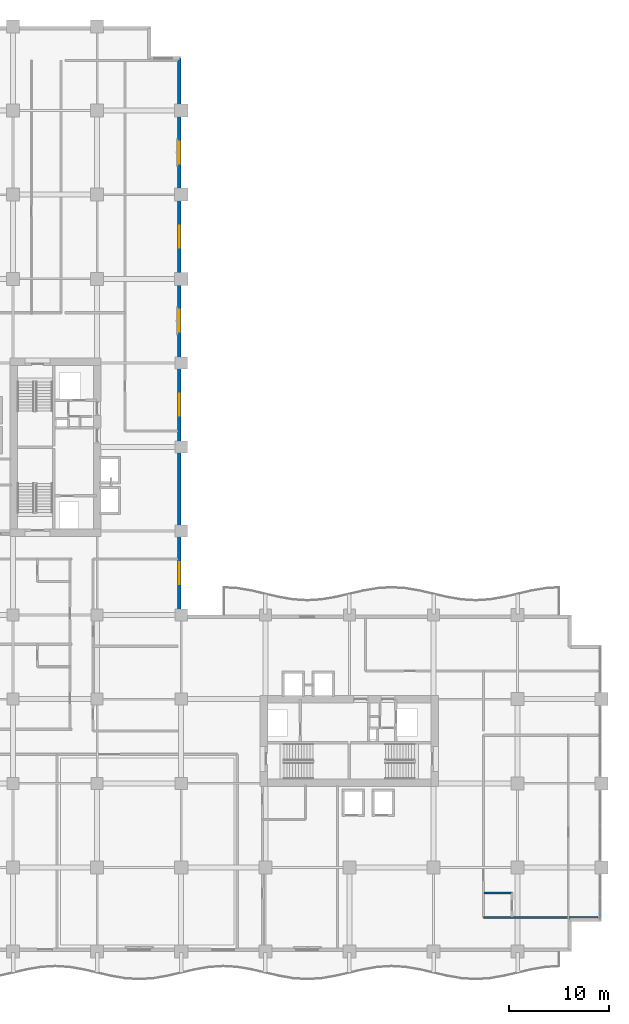
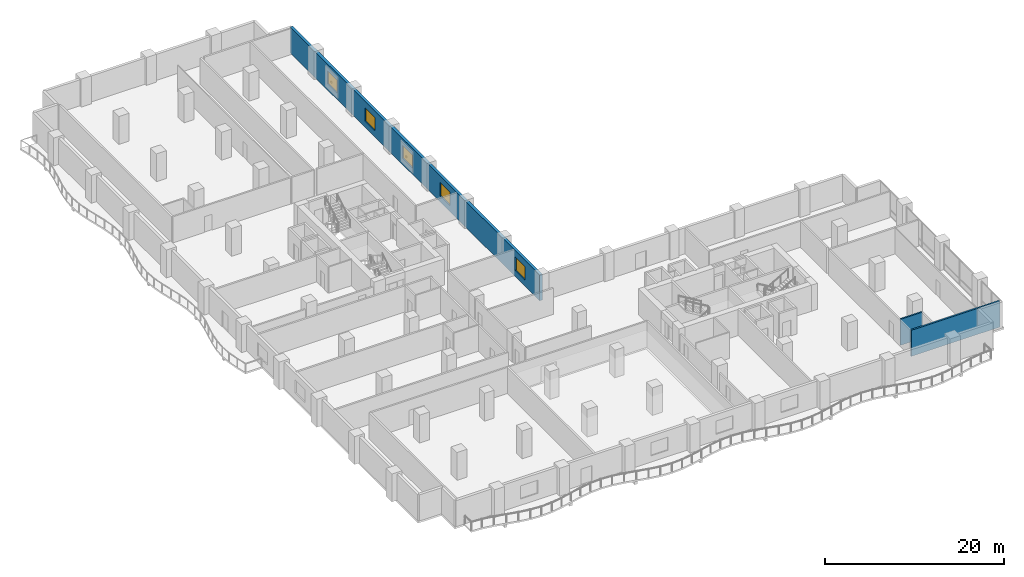
# One storey, part 14 of 23: 5 windows, 3 walls, 5 openings.
"""IFC4 building model written with IfcOpenShell, lengths in metres."""

from ifc_helpers import new_model, si_unit, direction, frame, frame_2d, origin, place, context, subcontext, project, spatial, rectangle, extrude, material, layer, layer_set, type_object, element, fill, save


model = new_model("IFC4")

# Units and contexts
model_context = context("Model", 3, precision=1e-05, world=origin(), true_north=direction((0.0, 1.0)))
body_context = subcontext(model_context, "Body", "Model", "MODEL_VIEW")
ifc_project = project(units=[si_unit("LENGTHUNIT", "METRE"), si_unit("AREAUNIT", "SQUARE_METRE"), si_unit("VOLUMEUNIT", "CUBIC_METRE"), si_unit("PLANEANGLEUNIT", "RADIAN"), si_unit("MASSUNIT", "GRAM", prefix="KILO")], contexts=[model_context])

# Site, building, storey
site_placement = place(None, origin())
site = spatial("IfcSite", under=ifc_project, at=site_placement, CompositionType="ELEMENT")
building_placement = place(site_placement, origin())
building = spatial("IfcBuilding", under=site, at=building_placement, Name="Koriwani Terraces Tower", CompositionType="ELEMENT")
storey_placement = place(building_placement, frame((0.0, 0.0, 134.199951171875)))
storey = spatial("IfcBuildingStorey", under=building, at=storey_placement, Name="L32", CompositionType="ELEMENT", Elevation=134.199951171875)

# Wall
ifc_material_1 = material(Name="Autoclaved Cellular Concrete Blockwork", Category="masonry")
ifc_layer_1 = layer(ifc_material_1, 0.219970703125, Name="Autoclaved Cellular Concrete Blockwork")
ifc_layer_set_1 = layer_set([ifc_layer_1], Name="Autoclaved Cellular Concrete Blockwork")
wall_type_1 = type_object("IfcWallType", Name="WALL_DEMISING_220", PredefinedType="PARTITIONING", material=ifc_layer_set_1)
wall_1_placement = place(storey_placement, frame((63.800048828125, 3.39990234375, 0.0), z_axis=(0.0, 0.0, 1.0), x_axis=(1.0, 0.0, 0.0)))
element("IfcWall", 1, at=wall_1_placement, inside=storey, type_object=wall_type_1, Name="L32 Interior Wall WGB-L32-SETIP-S", PredefinedType="PARTITIONING", context=body_context, shape_type="SweptSolid", body=[
    extrude(rectangle(XDim=11.419921875, YDim=0.219970703125, at=frame_2d((5.7099609375, 0.0))), origin(), (0.0, 0.0, 1.0), 3.550048828125),
])

# Wall, openings, windows
ifc_material_2 = material(Name="Concrete C50/60", Category="concrete")
ifc_layer_2 = layer(ifc_material_2, 0.35009765625, Name="Concrete C50/60")
ifc_layer_set_2 = layer_set([ifc_layer_2], Name="Concrete C50/60")
wall_type_2 = type_object("IfcWallType", Name="WALL_EXT_BRUTALIST_350", PredefinedType="STANDARD", material=ifc_layer_set_2)
wall_2_placement = place(storey_placement, frame((33.425048828125, 89.22509765625, 0.0), z_axis=(0.0, 0.0, 1.0), x_axis=(0.0, -1.0, 0.0)))
wall_2 = element("IfcWall", 2, at=wall_2_placement, inside=storey, type_object=wall_type_2, Name="L32 Fair-Faced Brutalist Exterior Wall (NW_IN)", PredefinedType="STANDARD", context=body_context, shape_type="SweptSolid", body=[
    extrude(rectangle(XDim=55.800048828125, YDim=0.35009765625, at=frame_2d((27.89990234375, 0.0))), origin(), (0.0, 0.0, 1.0), 3.550048828125),
])
opening_1_placement = place(wall_2_placement, frame((50.324951171875, 0.0, 0.85009765625)))
opening_1 = element("IfcOpeningElement", 3, at=opening_1_placement, cuts=wall_2, Name="Opening W-01", PredefinedType="OPENING", context=body_context, shape_type="SweptSolid", body=[
    extrude(rectangle(XDim=2.199951171875, YDim=1.800048828125, at=frame_2d((1.10009765625, 0.89990234375))), frame((0.0, 0.18505859375, 0.0), z_axis=(0.0, -1.0, 0.0), x_axis=(1.0, 0.0, 0.0)), (0.0, 0.0, 1.0), 0.3701171875),
])
opening_2_placement = place(wall_2_placement, frame((33.52490234375, 0.0, 0.85009765625)))
opening_2 = element("IfcOpeningElement", 4, at=opening_2_placement, cuts=wall_2, Name="Opening W-01", PredefinedType="OPENING", context=body_context, shape_type="SweptSolid", body=[
    extrude(rectangle(XDim=2.199951171875, YDim=1.800048828125, at=frame_2d((1.10009765625, 0.89990234375))), frame((0.0, 0.18505859375, 0.0), z_axis=(0.0, -1.0, 0.0), x_axis=(1.0, 0.0, 0.0)), (0.0, 0.0, 1.0), 0.3701171875),
])
opening_3_placement = place(wall_2_placement, frame((25.125, 0.0, 0.85009765625)))
opening_3 = element("IfcOpeningElement", 5, at=opening_3_placement, cuts=wall_2, Name="Opening W-01", PredefinedType="OPENING", context=body_context, shape_type="SweptSolid", body=[
    extrude(rectangle(XDim=2.199951171875, YDim=1.800048828125, at=frame_2d((1.10009765625, 0.89990234375))), frame((0.0, 0.18505859375, 0.0), z_axis=(0.0, -1.0, 0.0), x_axis=(1.0, 0.0, 0.0)), (0.0, 0.0, 1.0), 0.3701171875),
])
opening_4_placement = place(wall_2_placement, frame((16.72509765625, 0.0, 0.85009765625)))
opening_4 = element("IfcOpeningElement", 6, at=opening_4_placement, cuts=wall_2, Name="Opening W-01", PredefinedType="OPENING", context=body_context, shape_type="SweptSolid", body=[
    extrude(rectangle(XDim=2.199951171875, YDim=1.800048828125, at=frame_2d((1.10009765625, 0.89990234375))), frame((0.0, 0.18505859375, 0.0), z_axis=(0.0, -1.0, 0.0), x_axis=(1.0, 0.0, 0.0)), (0.0, 0.0, 1.0), 0.3701171875),
])
opening_5_placement = place(wall_2_placement, frame((8.324951171875, 0.0, 0.85009765625)))
opening_5 = element("IfcOpeningElement", 7, at=opening_5_placement, cuts=wall_2, Name="Opening W-01", PredefinedType="OPENING", context=body_context, shape_type="SweptSolid", body=[
    extrude(rectangle(XDim=2.199951171875, YDim=1.800048828125, at=frame_2d((1.10009765625, 0.89990234375))), frame((0.0, 0.18505859375, 0.0), z_axis=(0.0, -1.0, 0.0), x_axis=(1.0, 0.0, 0.0)), (0.0, 0.0, 1.0), 0.3701171875),
])
ifc_material_3 = material(Name="Tempered Laminated Low-E Glass", Category="glass")
window_type = type_object("IfcWindowType", Name="WIN_HOTEL_STD_2200X1800", PartitioningType="DOUBLE_PANEL_VERTICAL", PredefinedType="WINDOW", material=ifc_material_3)
window_1_placement = place(opening_1_placement, origin())
window_1 = element("IfcWindow", 8, at=window_1_placement, inside=storey, type_object=window_type, Name="L32 Exterior Window (NW_IN-2)", OverallHeight=1.800048828125, OverallWidth=2.199951171875, PartitioningType="SINGLE_PANEL", PredefinedType="WINDOW", context=body_context, shape_type="SweptSolid", body=[
    extrude(rectangle(XDim=2.199951171875, YDim=1.800048828125, at=frame_2d((1.10009765625, 0.89990234375))), frame((0.0, 0.030029296875, 0.0), z_axis=(0.0, -1.0, 0.0), x_axis=(1.0, 0.0, 0.0)), (0.0, 0.0, 1.0), 0.06005859375),
])
fill(opening_1, window_1)
window_2_placement = place(opening_2_placement, origin())
window_2 = element("IfcWindow", 9, at=window_2_placement, inside=storey, type_object=window_type, Name="L32 Exterior Window (NW_IN-8)", OverallHeight=1.800048828125, OverallWidth=2.199951171875, PartitioningType="SINGLE_PANEL", PredefinedType="WINDOW", context=body_context, shape_type="SweptSolid", body=[
    extrude(rectangle(XDim=2.199951171875, YDim=1.800048828125, at=frame_2d((1.10009765625, 0.89990234375))), frame((0.0, 0.030029296875, 0.0), z_axis=(0.0, -1.0, 0.0), x_axis=(1.0, 0.0, 0.0)), (0.0, 0.0, 1.0), 0.06005859375),
])
fill(opening_2, window_2)
window_3_placement = place(opening_3_placement, origin())
window_3 = element("IfcWindow", 10, at=window_3_placement, inside=storey, type_object=window_type, Name="L32 Exterior Window (NW_IN-11)", OverallHeight=1.800048828125, OverallWidth=2.199951171875, PartitioningType="SINGLE_PANEL", PredefinedType="WINDOW", context=body_context, shape_type="SweptSolid", body=[
    extrude(rectangle(XDim=2.199951171875, YDim=1.800048828125, at=frame_2d((1.10009765625, 0.89990234375))), frame((0.0, 0.030029296875, 0.0), z_axis=(0.0, -1.0, 0.0), x_axis=(1.0, 0.0, 0.0)), (0.0, 0.0, 1.0), 0.06005859375),
])
fill(opening_3, window_3)
window_4_placement = place(opening_4_placement, origin())
window_4 = element("IfcWindow", 11, at=window_4_placement, inside=storey, type_object=window_type, Name="L32 Exterior Window (NW_IN-14)", OverallHeight=1.800048828125, OverallWidth=2.199951171875, PartitioningType="SINGLE_PANEL", PredefinedType="WINDOW", context=body_context, shape_type="SweptSolid", body=[
    extrude(rectangle(XDim=2.199951171875, YDim=1.800048828125, at=frame_2d((1.10009765625, 0.89990234375))), frame((0.0, 0.030029296875, 0.0), z_axis=(0.0, -1.0, 0.0), x_axis=(1.0, 0.0, 0.0)), (0.0, 0.0, 1.0), 0.06005859375),
])
fill(opening_4, window_4)
window_5_placement = place(opening_5_placement, origin())
window_5 = element("IfcWindow", 12, at=window_5_placement, inside=storey, type_object=window_type, Name="L32 Exterior Window (NW_IN-17)", OverallHeight=1.800048828125, OverallWidth=2.199951171875, PartitioningType="SINGLE_PANEL", PredefinedType="WINDOW", context=body_context, shape_type="SweptSolid", body=[
    extrude(rectangle(XDim=2.199951171875, YDim=1.800048828125, at=frame_2d((1.10009765625, 0.89990234375))), frame((0.0, 0.030029296875, 0.0), z_axis=(0.0, -1.0, 0.0), x_axis=(1.0, 0.0, 0.0)), (0.0, 0.0, 1.0), 0.06005859375),
])
fill(opening_5, window_5)

# Wall
ifc_material_4 = material(Name="Fire-Rated Acoustic Gypsum Partition", Category="masonry")
ifc_layer_3 = layer(ifc_material_4, 0.179931640625, Name="Fire-Rated Acoustic Gypsum Partition")
ifc_layer_set_3 = layer_set([ifc_layer_3], Name="Fire-Rated Acoustic Gypsum Partition")
wall_type_3 = type_object("IfcWallType", Name="WALL_PLUMBING_180", PredefinedType="PLUMBINGWALL", material=ifc_layer_set_3)
wall_3_placement = place(storey_placement, frame((63.85009765625, 5.85009765625, 0.0), z_axis=(0.0, 0.0, 1.0), x_axis=(1.0, 0.0, 0.0)))
element("IfcWall", 13, at=wall_3_placement, inside=storey, type_object=wall_type_3, Name="L32 Interior Wall WGB-L32-SETIP-SV2", PredefinedType="PLUMBINGWALL", context=body_context, shape_type="SweptSolid", body=[
    extrude(rectangle(XDim=2.7998046875, YDim=0.179931640625, at=frame_2d((1.39990234375, 0.0))), origin(), (0.0, 0.0, 1.0), 3.550048828125),
])

save(model, "model.ifc")
